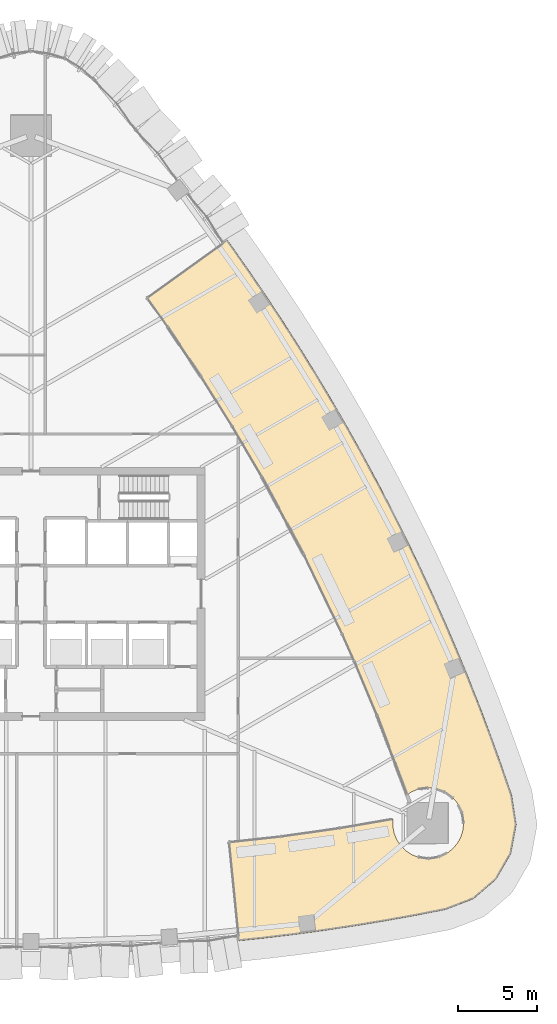
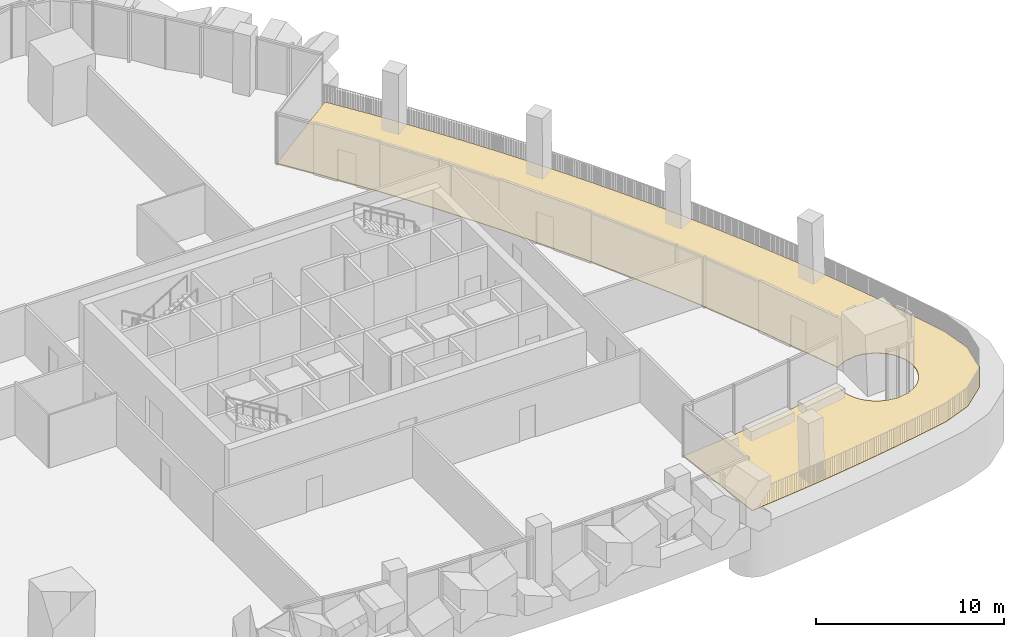
# One storey, part 18 of 20: 1 covering.
"""IFC4 building model written with IfcOpenShell, lengths in metres."""

from ifc_helpers import new_model, si_unit, direction, frame, origin, place, context, subcontext, project, spatial, polyline, outline, extrude, material, layer, layer_set, type_object, element, save


model = new_model("IFC4")

# Units and contexts
model_context = context("Model", 3, precision=1e-05, world=origin(), true_north=direction((0.0, 1.0)))
body_context = subcontext(model_context, "Body", "Model", "MODEL_VIEW")
ifc_project = project(units=[si_unit("LENGTHUNIT", "METRE"), si_unit("AREAUNIT", "SQUARE_METRE"), si_unit("VOLUMEUNIT", "CUBIC_METRE"), si_unit("PLANEANGLEUNIT", "RADIAN"), si_unit("MASSUNIT", "GRAM", prefix="KILO")], contexts=[model_context])

# Site, building, storey
site_placement = place(None, origin())
site = spatial("IfcSite", under=ifc_project, at=site_placement, CompositionType="ELEMENT")
building_placement = place(site_placement, origin())
building = spatial("IfcBuilding", under=site, at=building_placement, Name="Sierra Prisma Convention Tower", CompositionType="ELEMENT")
storey_placement = place(building_placement, frame((0.0, 0.0, 125.800048828125)))
storey = spatial("IfcBuildingStorey", under=building, at=storey_placement, Name="L26", CompositionType="ELEMENT", Elevation=125.800048828125)

# Covering
ifc_material = material(Name="Porcelain stoneware paving", Category="masonry")
ifc_layer = layer(ifc_material, 0.0400390625)
ifc_layer_set = layer_set([ifc_layer], Name="Terrace paving")
covering_type = type_object("IfcCoveringType", Name="Terrace paving", PredefinedType="FLOORING", material=ifc_layer_set)
covering_placement = place(storey_placement, origin())
element("IfcCovering", 1, at=covering_placement, inside=storey, type_object=covering_type, Name="Terrace paving L26", PredefinedType="FLOORING", context=body_context, shape_type="SweptSolid", body=[
    extrude(outline(polyline([(13.147705078125, -21.92431640625), (14.62646484375, -21.77001953125), (16.56689453125, -21.538330078125), (18.503662109375, -21.277587890625), (20.4365234375, -20.988525390625), (22.36474609375, -20.67041015625), (24.287841796875, -20.323974609375), (26.205810546875, -19.94873046875), (27.95654296875, -19.27001953125), (29.38232421875, -18.048095703125), (30.3212890625, -16.421875), (30.66650390625, -14.576171875), (30.379150390625, -12.720458984375), (29.744873046875, -10.8720703125), (29.08349609375, -9.033203125), (28.394775390625, -7.204345703125), (27.678955078125, -5.385986328125), (26.93603515625, -3.578369140625), (26.16650390625, -1.781982421875), (25.370361328125, 0.002685546875), (24.5478515625, 1.775390625), (23.698974609375, 3.53564453125), (22.82421875, 5.283203125), (21.923583984375, 7.017333984375), (20.9970703125, 8.738037109375), (20.045166015625, 10.44482421875), (19.068115234375, 12.13720703125), (18.06591796875, 13.81494140625), (17.0390625, 15.4775390625), (15.987548828125, 17.124755859375), (14.91162109375, 18.756103515625), (13.8115234375, 20.371337890625), (12.6875, 21.97021484375), (12.41259765625, 22.34912109375), (7.338134765625, 18.69482421875), (8.671875, 16.81494140625), (10.744384765625, 13.72265625), (12.72412109375, 10.570068359375), (14.609375, 7.360107421875), (17.25634765625, 2.443603515625), (19.681640625, -2.5859375), (20.43994140625, -4.285888671875), (21.88037109375, -7.718505859375), (23.75927734375, -12.69677734375), (24.04052734375, -12.514892578125), (24.446044921875, -12.346923828125), (25.095703125, -12.25048828125), (25.532470703125, -12.293701171875), (26.151123046875, -12.514892578125), (26.6787109375, -12.90625), (26.95703125, -13.245361328125), (27.23779296875, -13.83935546875), (27.334228515625, -14.489013671875), (27.291259765625, -14.92578125), (27.163818359375, -15.345703125), (26.95703125, -15.732666015625), (26.6787109375, -16.072021484375), (26.33935546875, -16.350341796875), (25.74560546875, -16.631103515625), (25.095703125, -16.7275390625), (24.446044921875, -16.631103515625), (24.04052734375, -16.463134765625), (23.67578125, -16.219482421875), (23.365478515625, -15.9091796875), (23.12158203125, -15.544189453125), (22.95361328125, -15.138916015625), (22.8681640625, -14.70849609375), (22.874267578125, -14.22802734375), (19.46533203125, -14.814208984375), (15.77978515625, -15.337890625), (12.51953125, -15.6953125), (13.147705078125, -21.92431640625)])), origin(), (0.0, 0.0, 1.0), 0.0400390625),
])

save(model, "model.ifc")
